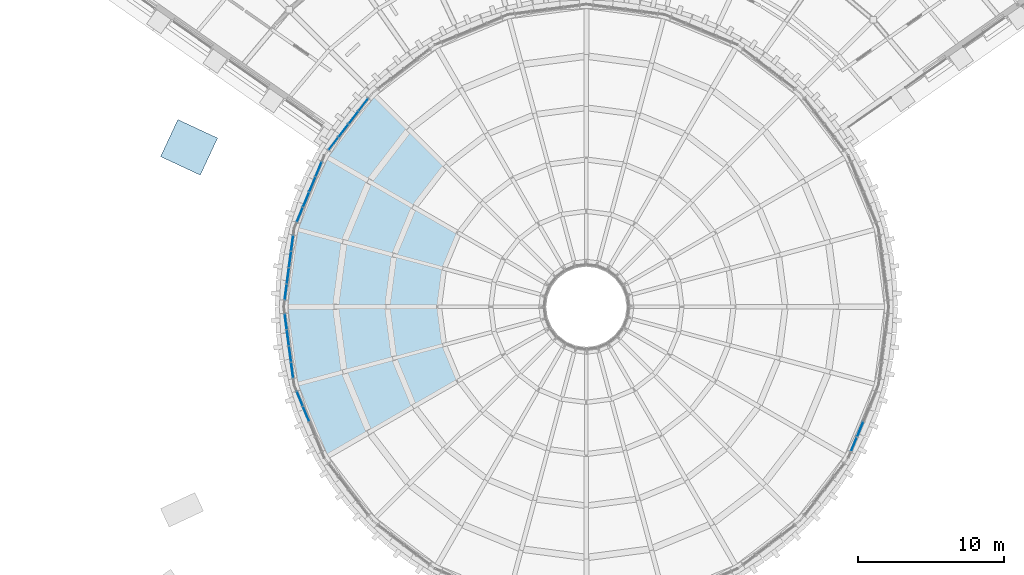
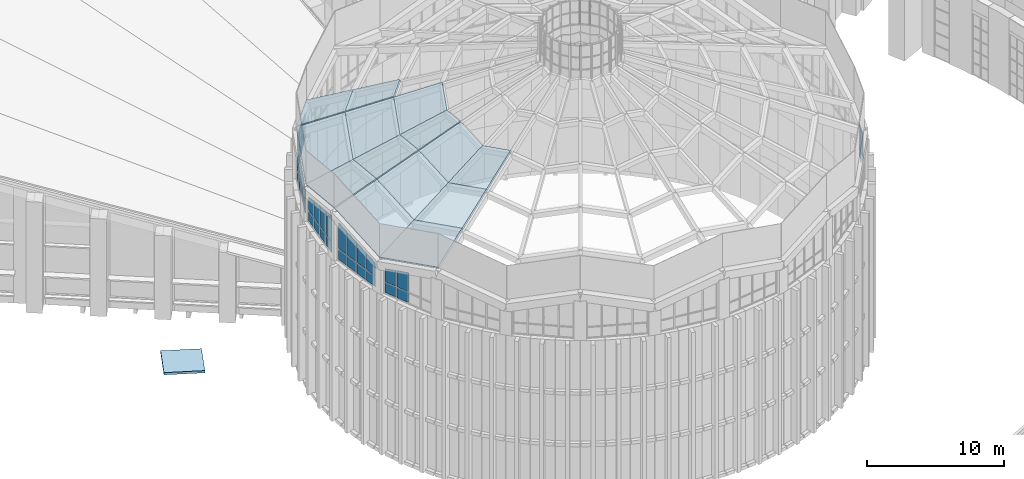
# One storey, part 40 of 82: 39 plates, 15 slabs, 7 elements without a shape of their own.
"""IFC4 building model written with IfcOpenShell, lengths in metres."""

import ifcopenshell
import ifcopenshell.guid

model = None  # the IFC model being written
_history = None  # IfcOwnerHistory: only IFC2X3 demands one
_inside = {}  # id of a spatial element -> (the spatial element, [elements in it])
_under = {}  # id of a project, library or spatial element -> (it, [spatial elements below it])
_declared = {}  # id of a project -> (the project, [libraries it declares])
_typed = {}  # id of a type object -> (the type object, [elements of that type])
_made_of = {}  # id of a material, layer set ... -> (it, [elements and type objects made of it])


def new_model(schema):
    """Start an empty IFC model of exactly this schema.

    Asked for "IFC4X3", IfcOpenShell would pick the latest addendum, in which some entities
    have other attributes; the version numbers below select the first issue.
    IFC2X3 requires an IfcOwnerHistory on every rooted entity: one is made here for all.
    """
    global model, _history
    if schema == "IFC4X3":
        model = ifcopenshell.file(schema_version=(4, 3, 0, 0))
    else:
        model = ifcopenshell.file(schema=schema)
    _inside.clear()
    _under.clear()
    _declared.clear()
    _typed.clear()
    _made_of.clear()
    _history = None
    if model.schema == "IFC2X3":
        org = make("IfcOrganization", Name="unknown")
        user = make(
            "IfcPersonAndOrganization",
            ThePerson=make("IfcPerson", FamilyName="unknown"),
            TheOrganization=org,
        )
        app = make(
            "IfcApplication",
            ApplicationDeveloper=org,
            Version="unknown",
            ApplicationFullName="unknown",
            ApplicationIdentifier="unknown",
        )
        _history = make(
            "IfcOwnerHistory",
            OwningUser=user,
            OwningApplication=app,
            ChangeAction="ADDED",
            CreationDate=0,
        )
    return model


def make(cls, **values):
    """One entity of the class cls with the attributes given. An attribute that is None is left unset."""
    return model.create_entity(
        cls, **{name: value for name, value in values.items() if value is not None}
    )


def rooted(cls, **values):
    """An entity with a GlobalId (a new one), such as an element, a storey or a relation."""
    return make(cls, GlobalId=ifcopenshell.guid.new(), OwnerHistory=_history, **values)


def si_unit(unit_type, name, prefix=None):
    """IfcSIUnit, for example si_unit("LENGTHUNIT", "METRE", prefix="MILLI")."""
    return make("IfcSIUnit", UnitType=unit_type, Prefix=prefix, Name=name)


def assignment(units):
    """IfcUnitAssignment: the units of a project."""
    return None if units is None else make("IfcUnitAssignment", Units=units)


def point(xyz):
    """IfcCartesianPoint."""
    return None if xyz is None else make("IfcCartesianPoint", Coordinates=xyz)


def direction(xyz):
    """IfcDirection."""
    return None if xyz is None else make("IfcDirection", DirectionRatios=xyz)


def frame(location, z_axis=None, x_axis=None):
    """IfcAxis2Placement3D, a coordinate frame: its origin and axes. An axis left out is left unset."""
    return make(
        "IfcAxis2Placement3D",
        Location=point(location),
        Axis=direction(z_axis),
        RefDirection=direction(x_axis),
    )


def frame_2d(location, x_axis=None):
    """IfcAxis2Placement2D, a coordinate frame in the plane: its origin and x axis."""
    return make(
        "IfcAxis2Placement2D", Location=point(location), RefDirection=direction(x_axis)
    )


def origin():
    """The frame at (0, 0, 0) with its axes left unset."""
    return frame((0.0, 0.0, 0.0))


def origin_2d():
    """The frame at (0, 0) in the plane with its x axis left unset."""
    return frame_2d((0.0, 0.0))


def place(relative_to, where):
    """IfcLocalPlacement: puts the frame where relative to a parent placement (None: the world)."""
    return make(
        "IfcLocalPlacement", PlacementRelTo=relative_to, RelativePlacement=where
    )


def context(
    kind, dimensions, precision=None, world=None, true_north=None, identifier=None
):
    """IfcGeometricRepresentationContext, for example the 3D "Model" context."""
    return make(
        "IfcGeometricRepresentationContext",
        ContextIdentifier=identifier,
        ContextType=kind,
        CoordinateSpaceDimension=dimensions,
        Precision=precision,
        WorldCoordinateSystem=world,
        TrueNorth=true_north,
    )


def subcontext(parent, identifier, kind, view, scale=None):
    """IfcGeometricRepresentationSubContext, for example "Body" below "Model"."""
    return make(
        "IfcGeometricRepresentationSubContext",
        ContextIdentifier=identifier,
        ContextType=kind,
        ParentContext=parent,
        TargetScale=scale,
        TargetView=view,
    )


def project(units=None, contexts=None):
    """IfcProject with its units and contexts."""
    return rooted(
        "IfcProject",
        Name="project",
        RepresentationContexts=contexts,
        UnitsInContext=assignment(units),
    )


def spatial(cls, under=None, at=None, **own):
    """A site, building, storey or space (cls), placed at a placement, below another one or the project."""
    s = rooted(cls, ObjectPlacement=at, **own)
    if under is not None:
        _under.setdefault(under.id(), (under, []))[1].append(s)
    return s


def polyline(points):
    """IfcPolyline through the points."""
    return make("IfcPolyline", Points=[point(p) for p in points])


def profile(cls, at=None, kind="AREA", **sizes):
    """A parametric profile (cls). Its sizes go by their IFC names, for example OverallWidth=200.0."""
    return make(cls, ProfileType=kind, Position=at, **sizes)


def rectangle(**sizes):
    """IfcRectangleProfileDef."""
    return profile("IfcRectangleProfileDef", **sizes)


def outline(outer, holes=None, kind="AREA"):
    """IfcArbitraryClosedProfileDef: a profile drawn as a closed curve; with holes, ...WithVoids."""
    if holes is None:
        return make("IfcArbitraryClosedProfileDef", ProfileType=kind, OuterCurve=outer)
    return make(
        "IfcArbitraryProfileDefWithVoids",
        ProfileType=kind,
        OuterCurve=outer,
        InnerCurves=holes,
    )


def extrude(swept, where, along, depth):
    """IfcExtrudedAreaSolid: the profile swept, set in the frame where, extruded along a direction by depth."""
    return make(
        "IfcExtrudedAreaSolid",
        SweptArea=swept,
        Position=where,
        ExtrudedDirection=direction(along),
        Depth=depth,
    )


def shape(context_of_items, identifier, shape_type, items):
    """IfcShapeRepresentation: the items that make up one representation, for example the "Body"."""
    return make(
        "IfcShapeRepresentation",
        ContextOfItems=context_of_items,
        RepresentationIdentifier=identifier,
        RepresentationType=shape_type,
        Items=items,
    )


def material(Name=None, Category=None):
    """IfcMaterial."""
    return make("IfcMaterial", Name=Name, Category=Category)


def layer(
    of_material, thickness, ventilated=None, Name=None, Category=None, Priority=None
):
    """IfcMaterialLayer: one layer of a wall or slab, of a material (None: an air gap)."""
    return make(
        "IfcMaterialLayer",
        Material=of_material,
        LayerThickness=thickness,
        IsVentilated=ventilated,
        Name=Name,
        Category=Category,
        Priority=Priority,
    )


def layer_set(layers, Name=None):
    """IfcMaterialLayerSet."""
    return make("IfcMaterialLayerSet", MaterialLayers=layers, LayerSetName=Name)


def made_of(thing, what):
    """Note that an element or type object is made of a material, layer set ...; save() writes the relation."""
    if what is not None:
        _made_of.setdefault(what.id(), (what, []))[1].append(thing)
    return thing


def type_object(cls, material=None, **own):
    """A type object (cls), such as IfcWallType, which elements share."""
    return made_of(rooted(cls, **own), material)


def element(
    cls,
    number,
    at=None,
    inside=None,
    cuts=None,
    type_object=None,
    material=None,
    context=None,
    identifier="Body",
    shape_type=None,
    held_by="IfcProductDefinitionShape",
    body=None,
    shapes=None,
    **own,
):
    """One element of the class cls, such as IfcWall. Its Tag is "e" and its number.

    at: its placement. inside: the storey or other place that contains it. cuts: it is an
    opening in that element (IfcRelVoidsElement). A single representation is given by context,
    identifier, shape_type and body (its items); several are given by shapes. held_by: the class
    of the entity that holds the representations. save() writes the other relations.
    """
    e = rooted(cls, Tag="e%d" % number, ObjectPlacement=at, **own)
    if body is not None:
        shapes = [shape(context, identifier, shape_type, body)]
    if shapes is not None:
        e.Representation = make(held_by, Representations=shapes)
    if inside is not None:
        _inside.setdefault(inside.id(), (inside, []))[1].append(e)
    if cuts is not None:
        rooted(
            "IfcRelVoidsElement", RelatingBuildingElement=cuts, RelatedOpeningElement=e
        )
    if type_object is not None:
        _typed.setdefault(type_object.id(), (type_object, []))[1].append(e)
    return made_of(e, material)


def aggregate(whole, parts):
    """IfcRelAggregates: a whole, such as a stair, and the parts it consists of."""
    return rooted("IfcRelAggregates", RelatingObject=whole, RelatedObjects=parts)


def save(model, path):
    """Write the relations noted so far, then the file.

    IfcRelAggregates (storeys below a building ...), IfcRelContainedInSpatialStructure (elements
    in a storey), IfcRelDefinesByType, IfcRelAssociatesMaterial and IfcRelDeclares: one each for
    every whole, place, type object, material and project.
    """
    for whole, parts in _under.values():
        aggregate(whole, parts)
    for where, things in _inside.values():
        rooted(
            "IfcRelContainedInSpatialStructure",
            RelatedElements=things,
            RelatingStructure=where,
        )
    for kind, things in _typed.values():
        rooted("IfcRelDefinesByType", RelatedObjects=things, RelatingType=kind)
    for what, things in _made_of.values():
        rooted("IfcRelAssociatesMaterial", RelatedObjects=things, RelatingMaterial=what)
    for by, libraries in _declared.values():
        rooted("IfcRelDeclares", RelatingContext=by, RelatedDefinitions=libraries)
    model.write(path)


model = new_model("IFC4")

# Units and contexts
model_context = context("Model", 3, precision=1e-05, world=origin(), true_north=direction((0.0, 1.0)))
body_context = subcontext(model_context, "Body", "Model", "MODEL_VIEW")
ifc_project = project(units=[si_unit("LENGTHUNIT", "METRE"), si_unit("AREAUNIT", "SQUARE_METRE"), si_unit("VOLUMEUNIT", "CUBIC_METRE"), si_unit("PLANEANGLEUNIT", "RADIAN"), si_unit("MASSUNIT", "GRAM", prefix="KILO")], contexts=[model_context])

# Site, building, storey
site_placement = place(None, origin())
site = spatial("IfcSite", under=ifc_project, at=site_placement, CompositionType="ELEMENT")
building_placement = place(site_placement, origin())
building = spatial("IfcBuilding", under=site, at=building_placement, Name="Volute Hill Aquarium", CompositionType="ELEMENT")
storey_placement = place(building_placement, frame((0.0, 0.0, 13.800048828125)))
storey = spatial("IfcBuildingStorey", under=building, at=storey_placement, Name="L04", CompositionType="ELEMENT", Elevation=13.800048828125)

# Curtain wall, plates
ifc_material_1 = material(Name="Aluminium", Category="aluminium")
ifc_layer_1 = layer(ifc_material_1, 0.219970703125)
ifc_layer_set_1 = layer_set([ifc_layer_1], Name="Curtain wall DR clerestory module 1134")
curtain_wall_type = type_object("IfcCurtainWallType", Name="Curtain wall DR clerestory module 1134", PredefinedType="NOTDEFINED", material=ifc_layer_set_1)
curtain_wall_1_placement = place(storey_placement, origin())
curtain_wall_1 = element("IfcCurtainWall", 1, at=curtain_wall_1_placement, inside=storey, type_object=curtain_wall_type, Name="Curtain wall CW DR clerestory c09", PredefinedType="NOTDEFINED")
ifc_material_2 = material(Name="Glass, low-iron laminated", Category="glass")
ifc_layer_2 = layer(ifc_material_2, 0.035888671875)
ifc_layer_set_2 = layer_set([ifc_layer_2], Name="Curtain wall glass panel clerestory 36")
plate_type = type_object("IfcPlateType", Name="Curtain wall glass panel clerestory 36", PredefinedType="CURTAIN_PANEL", material=ifc_layer_set_2)
plate_1_placement = place(storey_placement, frame((-15.257080078125, 13.8291015625, 13.77001953125), z_axis=(0.0, 0.0, 1.0), x_axis=(-0.608760551921, -0.793354013303, 0.0)))
plate_1 = element("IfcPlate", 2, at=plate_1_placement, type_object=plate_type, Name="Panel DR clerestory 1.1", PredefinedType="CURTAIN_PANEL", context=body_context, shape_type="SweptSolid", body=[
    extrude(rectangle(XDim=1.029052734375, YDim=0.035888671875, at=origin_2d()), origin(), (0.0, 0.0, 1.0), 0.89501953125),
])
plate_2_placement = place(storey_placement, frame((-14.9580078125, 14.248291015625, 14.73486328125), z_axis=(-0.793346631306, 0.608770172228, 0.0), x_axis=(-0.608770172228, -0.793346631306, 0.0)))
plate_2 = element("IfcPlate", 3, at=plate_2_placement, type_object=plate_type, Name="Panel DR clerestory 1.2", PredefinedType="CURTAIN_PANEL", context=body_context, shape_type="SweptSolid", body=[
    extrude(outline(polyline([(0.0, 0.0), (1.0290662590396085, 0.0), (1.0290662590396085, 1.4194335937500002), (0.0, 1.1528320312500002), (0.0, 0.0)])), origin(), (0.0, 0.0, -1.0), 0.035888671875),
])
plate_3_placement = place(storey_placement, frame((-15.936767578125, 12.943359375, 13.77001953125), z_axis=(0.0, 0.0, 1.0), x_axis=(-0.608760551921, -0.793354013303, 0.0)))
plate_3 = element("IfcPlate", 4, at=plate_3_placement, type_object=plate_type, Name="Panel DR clerestory 2.1", PredefinedType="CURTAIN_PANEL", context=body_context, shape_type="SweptSolid", body=[
    extrude(rectangle(XDim=1.06396484375, YDim=0.035888671875, at=origin_2d()), origin(), (0.0, 0.0, 1.0), 0.89501953125),
])
plate_4_placement = place(storey_placement, frame((-15.626953125, 13.37646484375, 14.73486328125), z_axis=(-0.793399515431, 0.608701247669, 0.0), x_axis=(-0.608701247669, -0.793399515431, 0.0)))
plate_4 = element("IfcPlate", 5, at=plate_4_placement, type_object=plate_type, Name="Panel DR clerestory 2.2", PredefinedType="CURTAIN_PANEL", context=body_context, shape_type="SweptSolid", body=[
    extrude(outline(polyline([(0.0, 0.0), (1.0640771324283154, 0.0), (1.0640771324283154, 1.7133789062500004), (0.0, 1.4377441406250002), (0.0, 0.0)])), origin(), (0.0, 0.0, -1.0), 0.035888671875),
])
plate_5_placement = place(storey_placement, frame((-16.626953125, 12.043701171875, 13.77001953125), z_axis=(0.0, 0.0, 1.0), x_axis=(-0.608760551921, -0.793354013303, 0.0)))
plate_5 = element("IfcPlate", 6, at=plate_5_placement, type_object=plate_type, Name="Panel DR clerestory 3.1", PredefinedType="CURTAIN_PANEL", context=body_context, shape_type="SweptSolid", body=[
    extrude(rectangle(XDim=1.06396484375, YDim=0.035888671875, at=origin_2d()), origin(), (0.0, 0.0, 1.0), 0.89501953125),
])
plate_6_placement = place(storey_placement, frame((-16.3173828125, 12.476806640625, 14.73486328125), z_axis=(-0.793399515431, 0.608701247669, 0.0), x_axis=(-0.608701247669, -0.793399515431, 0.0)))
plate_6 = element("IfcPlate", 7, at=plate_6_placement, type_object=plate_type, Name="Panel DR clerestory 3.2", PredefinedType="CURTAIN_PANEL", context=body_context, shape_type="SweptSolid", body=[
    extrude(outline(polyline([(0.0, 0.0), (1.0640771324283154, 0.0), (1.0640771324283154, 2.0070800781250004), (0.0, 1.7314453125000004), (0.0, 0.0)])), origin(), (0.0, 0.0, -1.0), 0.035888671875),
])
plate_7_placement = place(storey_placement, frame((-17.306640625, 11.157958984375, 13.77001953125), z_axis=(0.0, 0.0, 1.0), x_axis=(-0.608760551921, -0.793354013303, 0.0)))
plate_7 = element("IfcPlate", 8, at=plate_7_placement, type_object=plate_type, Name="Panel DR clerestory 4.1", PredefinedType="CURTAIN_PANEL", context=body_context, shape_type="SweptSolid", body=[
    extrude(rectangle(XDim=1.029052734375, YDim=0.035888671875, at=origin_2d()), origin(), (0.0, 0.0, 1.0), 0.89501953125),
])
plate_8_placement = place(storey_placement, frame((-17.008056640625, 11.5771484375, 14.73486328125), z_axis=(-0.793461214918, 0.608620818261, 0.0), x_axis=(-0.608620818261, -0.793461214918, 0.0)))
plate_8 = element("IfcPlate", 9, at=plate_8_placement, type_object=plate_type, Name="Panel DR clerestory 4.2", PredefinedType="CURTAIN_PANEL", context=body_context, shape_type="SweptSolid", body=[
    extrude(outline(polyline([(0.0, 0.0), (1.0289176517396483, 0.0), (1.0289176517396483, 2.291748046875), (0.0, 2.025146484375), (0.0, 0.0)])), origin(), (0.0, 0.0, -1.0), 0.035888671875),
])
aggregate(curtain_wall_1, [plate_1, plate_2, plate_3, plate_4, plate_5, plate_6, plate_7, plate_8])

curtain_wall_2_placement = place(storey_placement, origin())
curtain_wall_2 = element("IfcCurtainWall", 10, at=curtain_wall_2_placement, inside=storey, type_object=curtain_wall_type, Name="Curtain wall CW DR clerestory c10", PredefinedType="NOTDEFINED")
plate_9_placement = place(storey_placement, frame((-18.31640625, 9.4091796875, 13.77001953125), z_axis=(0.0, 0.0, 1.0), x_axis=(-0.382696102118, -0.923874284426, 0.0)))
plate_9 = element("IfcPlate", 11, at=plate_9_placement, type_object=plate_type, Name="Panel DR clerestory 1.1", PredefinedType="CURTAIN_PANEL", context=body_context, shape_type="SweptSolid", body=[
    extrude(rectangle(XDim=1.029052734375, YDim=0.035888671875, at=origin_2d()), origin(), (0.0, 0.0, 1.0), 0.89501953125),
])
plate_10_placement = place(storey_placement, frame((-18.13623046875, 9.891357421875, 14.73486328125), z_axis=(-0.923875137994, 0.382694041496, 0.0), x_axis=(-0.382694041496, -0.923875137994, 0.0)))
plate_10 = element("IfcPlate", 12, at=plate_10_placement, type_object=plate_type, Name="Panel DR clerestory 1.2", PredefinedType="CURTAIN_PANEL", context=body_context, shape_type="SweptSolid", body=[
    extrude(outline(polyline([(0.0, 0.0), (1.029017401435971, 0.0), (1.029017401435971, 2.0251464843750004), (0.0, 2.2917480468750004), (0.0, 0.0)])), origin(), (0.0, 0.0, -1.0), 0.035888671875),
])
plate_11_placement = place(storey_placement, frame((-18.74365234375, 8.377685546875, 13.77001953125), z_axis=(0.0, 0.0, 1.0), x_axis=(-0.382696102118, -0.923874284426, 0.0)))
plate_11 = element("IfcPlate", 13, at=plate_11_placement, type_object=plate_type, Name="Panel DR clerestory 2.1", PredefinedType="CURTAIN_PANEL", context=body_context, shape_type="SweptSolid", body=[
    extrude(rectangle(XDim=1.06396484375, YDim=0.035888671875, at=origin_2d()), origin(), (0.0, 0.0, 1.0), 0.89501953125),
])
plate_12_placement = place(storey_placement, frame((-18.556640625, 8.8759765625, 14.73486328125), z_axis=(-0.923849008585, 0.38275711533, 0.0), x_axis=(-0.38275711533, -0.923849008585, 0.0)))
plate_12 = element("IfcPlate", 14, at=plate_12_placement, type_object=plate_type, Name="Panel DR clerestory 2.2", PredefinedType="CURTAIN_PANEL", context=body_context, shape_type="SweptSolid", body=[
    extrude(outline(polyline([(0.0, 0.0), (1.0639294377283515, 0.0), (1.0639294377283515, 1.7314453125), (0.0, 2.007080078125), (0.0, 0.0)])), origin(), (0.0, 0.0, -1.0), 0.035888671875),
])
plate_13_placement = place(storey_placement, frame((-19.177734375, 7.330078125, 13.77001953125), z_axis=(0.0, 0.0, 1.0), x_axis=(-0.382696102118, -0.923874284426, 0.0)))
plate_13 = element("IfcPlate", 15, at=plate_13_placement, type_object=plate_type, Name="Panel DR clerestory 3.1", PredefinedType="CURTAIN_PANEL", context=body_context, shape_type="SweptSolid", body=[
    extrude(rectangle(XDim=1.06396484375, YDim=0.035888671875, at=origin_2d()), origin(), (0.0, 0.0, 1.0), 0.89501953125),
])
plate_14_placement = place(storey_placement, frame((-18.99072265625, 7.828369140625, 14.73486328125), z_axis=(-0.923882616045, 0.382675987972, 0.0), x_axis=(-0.382675987972, -0.923882616045, 0.0)))
plate_14 = element("IfcPlate", 16, at=plate_14_placement, type_object=plate_type, Name="Panel DR clerestory 3.2", PredefinedType="CURTAIN_PANEL", context=body_context, shape_type="SweptSolid", body=[
    extrude(outline(polyline([(0.0, 0.0), (1.064154990905621, 0.0), (1.064154990905621, 1.4377441406250002), (0.0, 1.7133789062500004), (0.0, 0.0)])), origin(), (0.0, 0.0, -1.0), 0.035888671875),
])
plate_15_placement = place(storey_placement, frame((-19.60498046875, 6.29833984375, 13.77001953125), z_axis=(0.0, 0.0, 1.0), x_axis=(-0.382696102118, -0.923874284426, 0.0)))
plate_15 = element("IfcPlate", 17, at=plate_15_placement, type_object=plate_type, Name="Panel DR clerestory 4.1", PredefinedType="CURTAIN_PANEL", context=body_context, shape_type="SweptSolid", body=[
    extrude(rectangle(XDim=1.029052734375, YDim=0.035888671875, at=origin_2d()), origin(), (0.0, 0.0, 1.0), 0.89501953125),
])
plate_16_placement = place(storey_placement, frame((-19.424560546875, 6.780517578125, 14.73486328125), z_axis=(-0.923840379293, 0.382777942923, 0.0), x_axis=(-0.382777942923, -0.923840379293, 0.0)))
plate_16 = element("IfcPlate", 18, at=plate_16_placement, type_object=plate_type, Name="Panel DR clerestory 4.2", PredefinedType="CURTAIN_PANEL", context=body_context, shape_type="SweptSolid", body=[
    extrude(outline(polyline([(0.0, 0.0), (1.0287918502248996, 0.0), (1.0287918502248996, 1.15283203125), (0.0, 1.41943359375), (0.0, 0.0)])), origin(), (0.0, 0.0, -1.0), 0.035888671875),
])
aggregate(curtain_wall_2, [plate_9, plate_10, plate_11, plate_12, plate_13, plate_14, plate_15, plate_16])

curtain_wall_3_placement = place(storey_placement, origin())
curtain_wall_3 = element("IfcCurtainWall", 19, at=curtain_wall_3_placement, inside=storey, type_object=curtain_wall_type, Name="Curtain wall CW DR clerestory c11", PredefinedType="NOTDEFINED")
plate_17_placement = place(storey_placement, frame((-20.127685546875, 4.347900390625, 13.77001953125), z_axis=(0.0, 0.0, 1.0), x_axis=(-0.130518657667, -0.991445853287, 0.0)))
plate_17 = element("IfcPlate", 20, at=plate_17_placement, type_object=plate_type, Name="Panel DR clerestory 1.1", PredefinedType="CURTAIN_PANEL", context=body_context, shape_type="SweptSolid", body=[
    extrude(rectangle(XDim=1.029052734375, YDim=0.035888671875, at=origin_2d()), origin(), (0.0, 0.0, 1.0), 0.89501953125),
])
plate_18_placement = place(storey_placement, frame((-20.078369140625, 4.8603515625, 14.73486328125), z_axis=(-0.991446216664, 0.130515897359, 0.0), x_axis=(-0.130515897359, -0.991446216664, 0.0)))
plate_18 = element("IfcPlate", 21, at=plate_18_placement, type_object=plate_type, Name="Panel DR clerestory 1.2", PredefinedType="CURTAIN_PANEL", context=body_context, shape_type="SweptSolid", body=[
    extrude(outline(polyline([(0.0, 0.0), (1.02881983319531, 0.0), (1.02881983319531, 1.41943359375), (0.0, 1.15283203125), (0.0, 0.0)])), origin(), (0.0, 0.0, -1.0), 0.035888671875),
])
plate_19_placement = place(storey_placement, frame((-20.2734375, 3.240966796875, 13.77001953125), z_axis=(0.0, 0.0, 1.0), x_axis=(-0.130518657667, -0.991445853287, 0.0)))
plate_19 = element("IfcPlate", 22, at=plate_19_placement, type_object=plate_type, Name="Panel DR clerestory 2.1", PredefinedType="CURTAIN_PANEL", context=body_context, shape_type="SweptSolid", body=[
    extrude(rectangle(XDim=1.06396484375, YDim=0.035888671875, at=origin_2d()), origin(), (0.0, 0.0, 1.0), 0.89501953125),
])
plate_20_placement = place(storey_placement, frame((-20.2216796875, 3.770751953125, 14.73486328125), z_axis=(-0.991441014026, 0.1305554124, 0.0), x_axis=(-0.1305554124, -0.991441014026, 0.0)))
plate_20 = element("IfcPlate", 23, at=plate_20_placement, type_object=plate_type, Name="Panel DR clerestory 2.2", PredefinedType="CURTAIN_PANEL", context=body_context, shape_type="SweptSolid", body=[
    extrude(outline(polyline([(0.0, 0.0), (1.0640387332183354, 0.0), (1.0640387332183354, 1.71337890625), (0.0, 1.437744140625), (0.0, 0.0)])), origin(), (0.0, 0.0, -1.0), 0.035888671875),
])
plate_21_placement = place(storey_placement, frame((-20.42138671875, 2.11669921875, 13.77001953125), z_axis=(0.0, 0.0, 1.0), x_axis=(-0.130518657667, -0.991445853287, 0.0)))
plate_21 = element("IfcPlate", 24, at=plate_21_placement, type_object=plate_type, Name="Panel DR clerestory 3.1", PredefinedType="CURTAIN_PANEL", context=body_context, shape_type="SweptSolid", body=[
    extrude(rectangle(XDim=1.06396484375, YDim=0.035888671875, at=origin_2d()), origin(), (0.0, 0.0, 1.0), 0.89501953125),
])
plate_22_placement = place(storey_placement, frame((-20.36962890625, 2.646484375, 14.73486328125), z_axis=(-0.991441014026, 0.1305554124, 0.0), x_axis=(-0.1305554124, -0.991441014026, 0.0)))
plate_22 = element("IfcPlate", 25, at=plate_22_placement, type_object=plate_type, Name="Panel DR clerestory 3.2", PredefinedType="CURTAIN_PANEL", context=body_context, shape_type="SweptSolid", body=[
    extrude(outline(polyline([(0.0, 0.0), (1.0640387332183352, 0.0), (1.0640387332183352, 2.007080078125), (0.0, 1.7314453125), (0.0, 0.0)])), origin(), (0.0, 0.0, -1.0), 0.035888671875),
])
plate_23_placement = place(storey_placement, frame((-20.567138671875, 1.009765625, 13.77001953125), z_axis=(0.0, 0.0, 1.0), x_axis=(-0.130518657667, -0.991445853287, 0.0)))
plate_23 = element("IfcPlate", 26, at=plate_23_placement, type_object=plate_type, Name="Panel DR clerestory 4.1", PredefinedType="CURTAIN_PANEL", context=body_context, shape_type="SweptSolid", body=[
    extrude(rectangle(XDim=1.029052734375, YDim=0.035888671875, at=origin_2d()), origin(), (0.0, 0.0, 1.0), 0.89501953125),
])
plate_24_placement = place(storey_placement, frame((-20.517822265625, 1.522216796875, 14.73486328125), z_axis=(-0.991450257528, 0.130485197808, 0.0), x_axis=(-0.130485197808, -0.991450257528, 0.0)))
plate_24 = element("IfcPlate", 27, at=plate_24_placement, type_object=plate_type, Name="Panel DR clerestory 4.2", PredefinedType="CURTAIN_PANEL", context=body_context, shape_type="SweptSolid", body=[
    extrude(outline(polyline([(0.0, 0.0), (1.0290618859876277, 0.0), (1.0290618859876277, 2.2917480468750004), (0.0, 2.0251464843750004), (0.0, 0.0)])), origin(), (0.0, 0.0, -1.0), 0.035888671875),
])
aggregate(curtain_wall_3, [plate_17, plate_18, plate_19, plate_20, plate_21, plate_22, plate_23, plate_24])

curtain_wall_4_placement = place(storey_placement, origin())
curtain_wall_4 = element("IfcCurtainWall", 28, at=curtain_wall_4_placement, inside=storey, type_object=curtain_wall_type, Name="Curtain wall CW DR clerestory c12", PredefinedType="NOTDEFINED")
plate_25_placement = place(storey_placement, frame((-20.567138671875, -1.009765625, 13.77001953125), z_axis=(0.0, 0.0, 1.0), x_axis=(0.130518657667, -0.991445853287, 0.0)))
plate_25 = element("IfcPlate", 29, at=plate_25_placement, type_object=plate_type, Name="Panel DR clerestory 1.1", PredefinedType="CURTAIN_PANEL", context=body_context, shape_type="SweptSolid", body=[
    extrude(rectangle(XDim=1.029052734375, YDim=0.035888671875, at=origin_2d()), origin(), (0.0, 0.0, 1.0), 0.89501953125),
])
plate_26_placement = place(storey_placement, frame((-20.652099609375, -0.501953125, 14.73486328125), z_axis=(-0.991450257528, -0.130485197808, 0.0), x_axis=(0.130485197808, -0.991450257528, 0.0)))
plate_26 = element("IfcPlate", 30, at=plate_26_placement, type_object=plate_type, Name="Panel DR clerestory 1.2", PredefinedType="CURTAIN_PANEL", context=body_context, shape_type="SweptSolid", body=[
    extrude(outline(polyline([(0.0, 0.0), (1.0290618859876277, 0.0), (1.0290618859876277, 2.0251464843750004), (0.0, 2.2917480468750004), (0.0, 0.0)])), origin(), (0.0, 0.0, -1.0), 0.035888671875),
])
plate_27_placement = place(storey_placement, frame((-20.42138671875, -2.11669921875, 13.77001953125), z_axis=(0.0, 0.0, 1.0), x_axis=(0.130518657667, -0.991445853287, 0.0)))
plate_27 = element("IfcPlate", 31, at=plate_27_placement, type_object=plate_type, Name="Panel DR clerestory 2.1", PredefinedType="CURTAIN_PANEL", context=body_context, shape_type="SweptSolid", body=[
    extrude(rectangle(XDim=1.06396484375, YDim=0.035888671875, at=origin_2d()), origin(), (0.0, 0.0, 1.0), 0.89501953125),
])
plate_28_placement = place(storey_placement, frame((-20.508544921875, -1.591552734375, 14.73486328125), z_axis=(-0.991441014026, -0.1305554124, 0.0), x_axis=(0.1305554124, -0.991441014026, 0.0)))
plate_28 = element("IfcPlate", 32, at=plate_28_placement, type_object=plate_type, Name="Panel DR clerestory 2.2", PredefinedType="CURTAIN_PANEL", context=body_context, shape_type="SweptSolid", body=[
    extrude(outline(polyline([(0.0, 0.0), (1.0640387332183352, 0.0), (1.0640387332183352, 1.7314453125), (0.0, 2.007080078125), (0.0, 0.0)])), origin(), (0.0, 0.0, -1.0), 0.035888671875),
])
plate_29_placement = place(storey_placement, frame((-20.2734375, -3.240966796875, 13.77001953125), z_axis=(0.0, 0.0, 1.0), x_axis=(0.130518657667, -0.991445853287, 0.0)))
plate_29 = element("IfcPlate", 33, at=plate_29_placement, type_object=plate_type, Name="Panel DR clerestory 3.1", PredefinedType="CURTAIN_PANEL", context=body_context, shape_type="SweptSolid", body=[
    extrude(rectangle(XDim=1.06396484375, YDim=0.035888671875, at=origin_2d()), origin(), (0.0, 0.0, 1.0), 0.89501953125),
])
plate_30_placement = place(storey_placement, frame((-20.360595703125, -2.7158203125, 14.73486328125), z_axis=(-0.991441014026, -0.1305554124, 0.0), x_axis=(0.1305554124, -0.991441014026, 0.0)))
plate_30 = element("IfcPlate", 34, at=plate_30_placement, type_object=plate_type, Name="Panel DR clerestory 3.2", PredefinedType="CURTAIN_PANEL", context=body_context, shape_type="SweptSolid", body=[
    extrude(outline(polyline([(0.0, 0.0), (1.0640387332183354, 0.0), (1.0640387332183354, 1.437744140625), (0.0, 1.71337890625), (0.0, 0.0)])), origin(), (0.0, 0.0, -1.0), 0.035888671875),
])
plate_31_placement = place(storey_placement, frame((-20.127685546875, -4.347900390625, 13.77001953125), z_axis=(0.0, 0.0, 1.0), x_axis=(0.130518657667, -0.991445853287, 0.0)))
plate_31 = element("IfcPlate", 35, at=plate_31_placement, type_object=plate_type, Name="Panel DR clerestory 4.1", PredefinedType="CURTAIN_PANEL", context=body_context, shape_type="SweptSolid", body=[
    extrude(rectangle(XDim=1.029052734375, YDim=0.035888671875, at=origin_2d()), origin(), (0.0, 0.0, 1.0), 0.89501953125),
])
plate_32_placement = place(storey_placement, frame((-20.212646484375, -3.84033203125, 14.73486328125), z_axis=(-0.991446216664, -0.130515897359, 0.0), x_axis=(0.130515897359, -0.991446216664, 0.0)))
plate_32 = element("IfcPlate", 36, at=plate_32_placement, type_object=plate_type, Name="Panel DR clerestory 4.2", PredefinedType="CURTAIN_PANEL", context=body_context, shape_type="SweptSolid", body=[
    extrude(outline(polyline([(0.0, 0.0), (1.02881983319531, 0.0), (1.02881983319531, 1.15283203125), (0.0, 1.41943359375), (0.0, 0.0)])), origin(), (0.0, 0.0, -1.0), 0.035888671875),
])
aggregate(curtain_wall_4, [plate_25, plate_26, plate_27, plate_28, plate_29, plate_30, plate_31, plate_32])

curtain_wall_5_placement = place(storey_placement, origin())
curtain_wall_5 = element("IfcCurtainWall", 37, at=curtain_wall_5_placement, inside=storey, type_object=curtain_wall_type, Name="Curtain wall CW DR clerestory c13", PredefinedType="NOTDEFINED")
plate_33_placement = place(storey_placement, frame((-19.60498046875, -6.29833984375, 13.77001953125), z_axis=(0.0, 0.0, 1.0), x_axis=(0.382696102118, -0.923874284426, 0.0)))
plate_33 = element("IfcPlate", 38, at=plate_33_placement, type_object=plate_type, Name="Panel DR clerestory 1.1", PredefinedType="CURTAIN_PANEL", context=body_context, shape_type="SweptSolid", body=[
    extrude(rectangle(XDim=1.029052734375, YDim=0.035888671875, at=origin_2d()), origin(), (0.0, 0.0, 1.0), 0.89501953125),
])
plate_34_placement = place(storey_placement, frame((-19.818359375, -5.830078125, 14.73486328125), z_axis=(-0.923840379293, -0.382777942923, 0.0), x_axis=(0.382777942923, -0.923840379293, 0.0)))
plate_34 = element("IfcPlate", 39, at=plate_34_placement, type_object=plate_type, Name="Panel DR clerestory 1.2", PredefinedType="CURTAIN_PANEL", context=body_context, shape_type="SweptSolid", body=[
    extrude(outline(polyline([(0.0, 0.0), (1.0287918502248996, 0.0), (1.0287918502248996, 1.41943359375), (0.0, 1.15283203125), (0.0, 0.0)])), origin(), (0.0, 0.0, -1.0), 0.035888671875),
])
plate_35_placement = place(storey_placement, frame((-19.177734375, -7.330078125, 13.77001953125), z_axis=(0.0, 0.0, 1.0), x_axis=(0.382696102118, -0.923874284426, 0.0)))
plate_35 = element("IfcPlate", 40, at=plate_35_placement, type_object=plate_type, Name="Panel DR clerestory 2.1", PredefinedType="CURTAIN_PANEL", context=body_context, shape_type="SweptSolid", body=[
    extrude(rectangle(XDim=1.06396484375, YDim=0.035888671875, at=origin_2d()), origin(), (0.0, 0.0, 1.0), 0.89501953125),
])
plate_36_placement = place(storey_placement, frame((-19.39794921875, -6.84521484375, 14.73486328125), z_axis=(-0.923882616045, -0.382675987972, 0.0), x_axis=(0.382675987972, -0.923882616045, 0.0)))
plate_36 = element("IfcPlate", 41, at=plate_36_placement, type_object=plate_type, Name="Panel DR clerestory 2.2", PredefinedType="CURTAIN_PANEL", context=body_context, shape_type="SweptSolid", body=[
    extrude(outline(polyline([(0.0, 0.0), (1.064154990905621, 0.0), (1.064154990905621, 1.7133789062500004), (0.0, 1.4377441406250002), (0.0, 0.0)])), origin(), (0.0, 0.0, -1.0), 0.035888671875),
])
aggregate(curtain_wall_5, [plate_33, plate_34, plate_35, plate_36])

curtain_wall_6_placement = place(storey_placement, origin())
curtain_wall_6 = element("IfcCurtainWall", 42, at=curtain_wall_6_placement, inside=storey, type_object=curtain_wall_type, Name="Curtain wall CW DR clerestory c22", PredefinedType="NOTDEFINED")
plate_37_placement = place(storey_placement, frame((18.13623046875, -9.891357421875, 14.73486328125), z_axis=(0.923875137994, -0.382694041496, 0.0), x_axis=(0.382694041496, 0.923875137994, 0.0)))
plate_37 = element("IfcPlate", 43, at=plate_37_placement, type_object=plate_type, Name="Panel DR clerestory 1.2", PredefinedType="CURTAIN_PANEL", context=body_context, shape_type="SweptSolid", body=[
    extrude(outline(polyline([(0.0, 0.0), (1.029017401435971, 0.0), (1.029017401435971, 2.0251464843750004), (0.0, 2.2917480468750004), (0.0, 0.0)])), origin(), (0.0, 0.0, -1.0), 0.035888671875),
])
plate_38_placement = place(storey_placement, frame((18.74365234375, -8.377685546875, 13.77001953125), z_axis=(0.0, 0.0, 1.0), x_axis=(0.382696102118, 0.923874284426, 0.0)))
plate_38 = element("IfcPlate", 44, at=plate_38_placement, type_object=plate_type, Name="Panel DR clerestory 2.1", PredefinedType="CURTAIN_PANEL", context=body_context, shape_type="SweptSolid", body=[
    extrude(rectangle(XDim=1.06396484375, YDim=0.035888671875, at=origin_2d()), origin(), (0.0, 0.0, 1.0), 0.89501953125),
])
plate_39_placement = place(storey_placement, frame((18.556640625, -8.8759765625, 14.73486328125), z_axis=(0.923849008585, -0.38275711533, 0.0), x_axis=(0.38275711533, 0.923849008585, 0.0)))
plate_39 = element("IfcPlate", 45, at=plate_39_placement, type_object=plate_type, Name="Panel DR clerestory 2.2", PredefinedType="CURTAIN_PANEL", context=body_context, shape_type="SweptSolid", body=[
    extrude(outline(polyline([(0.0, 0.0), (1.0639294377283515, 0.0), (1.0639294377283515, 1.7314453125), (0.0, 2.007080078125), (0.0, 0.0)])), origin(), (0.0, 0.0, -1.0), 0.035888671875),
])
aggregate(curtain_wall_6, [plate_37, plate_38, plate_39])

# Roof, slabs
roof_placement = place(storey_placement, origin())
roof = element("IfcRoof", 46, at=roof_placement, inside=storey, Name="Folded dome shell roof", PredefinedType="DOME_ROOF")
ifc_material_3 = material(Name="Concrete C40/50", Category="concrete")
ifc_layer_3 = layer(ifc_material_3, 0.159912109375)
ifc_layer_set_3 = layer_set([ifc_layer_3], Name="Dome shell plate C40/50 160")
slab_type_1 = type_object("IfcSlabType", Name="Dome shell plate C40/50 160", PredefinedType="ROOF", material=ifc_layer_set_3)
slab_1_placement = place(storey_placement, frame((-11.815185546875, 6.765380859375, 20.726806640625), z_axis=(-0.430136933287, -0.074111146149, 0.899716486811), x_axis=(-0.370157422167, -0.894516149821, -0.25064784165)))
slab_1 = element("IfcSlab", 47, at=slab_1_placement, type_object=slab_type_1, Name="Dome shell plate 3.11", PredefinedType="ROOF", context=body_context, shape_type="SweptSolid", body=[
    extrude(outline(polyline([(0.0, 0.0), (3.6223345278476553, -5.551115123125783e-17), (2.7853732218885705, 3.7766455938804473), (0.11749965526001205, 3.776054919106853), (0.0, 0.0)])), origin(), (0.0, 0.0, -1.0), 0.159912109375),
])
slab_2_placement = place(storey_placement, frame((-13.156005859375, 3.525146484375, 19.81884765625), z_axis=(-0.335457333661, 0.279264468001, 0.89971091702), x_axis=(-0.126709346415, -0.959748043462, 0.250656008511)))
slab_2 = element("IfcSlab", 48, at=slab_2_placement, type_object=slab_type_1, Name="Dome shell plate 3.12", PredefinedType="ROOF", context=body_context, shape_type="SweptSolid", body=[
    extrude(outline(polyline([(0.0, 0.0), (3.6223670424331416, 5.551115123125783e-17), (3.504663812048471, 3.776007151315561), (0.8369587957977916, 3.7766461502897553), (0.0, 0.0)])), origin(), (0.0, 0.0, -1.0), 0.159912109375),
])
slab_3_placement = place(storey_placement, frame((-13.614990234375, -0.048583984375, 20.726806640625), z_axis=(-0.335457333661, -0.279264468001, 0.89971091702), x_axis=(0.126709346415, -0.959748043462, -0.250656008511)))
slab_3 = element("IfcSlab", 49, at=slab_3_placement, type_object=slab_type_1, Name="Dome shell plate 3.13", PredefinedType="ROOF", context=body_context, shape_type="SweptSolid", body=[
    extrude(outline(polyline([(0.0, 0.0), (3.6223670424331416, -5.551115123125783e-17), (2.78540824663535, 3.7766461502897553), (0.11770323038467051, 3.776007151315561), (0.0, 0.0)])), origin(), (0.0, 0.0, -1.0), 0.159912109375),
])
slab_4_placement = place(storey_placement, frame((-13.156005859375, -3.525146484375, 19.81884765625), z_axis=(-0.430136933287, 0.074111146149, 0.899716486811), x_axis=(0.370157422167, -0.894516149821, 0.25064784165)))
slab_4 = element("IfcSlab", 50, at=slab_4_placement, type_object=slab_type_1, Name="Dome shell plate 3.14", PredefinedType="ROOF", context=body_context, shape_type="SweptSolid", body=[
    extrude(outline(polyline([(0.0, 0.0), (3.6223345278476553, 5.551115123125783e-17), (3.504834872587643, 3.7760549191068526), (0.8369613059590846, 3.7766455938804473), (0.0, 0.0)])), origin(), (0.0, 0.0, -1.0), 0.159912109375),
])
ifc_material_4 = material(Name="Concrete C40/50", Category="concrete")
ifc_layer_4 = layer(ifc_material_4, 0.179931640625)
ifc_layer_set_4 = layer_set([ifc_layer_4], Name="Dome shell plate C40/50 180")
slab_type_2 = type_object("IfcSlabType", Name="Dome shell plate C40/50 180", PredefinedType="ROOF", material=ifc_layer_set_4)
slab_5_placement = place(storey_placement, frame((-12.134033203125, 12.134033203125, 18.25927734375), z_axis=(-0.150916530515, 0.409611973827, 0.899690075367), x_axis=(-0.589560601899, -0.767837319943, 0.250687348686)))
slab_5 = element("IfcSlab", 51, at=slab_5_placement, type_object=slab_type_2, Name="Dome shell plate 2.10", PredefinedType="ROOF", context=body_context, shape_type="SweptSolid", body=[
    extrude(outline(polyline([(0.0, 0.0), (4.571309337870088, -1.6653345369377348e-16), (4.453920320754607, 3.7762581284469428), (0.8372221615039372, 3.7766489165209465), (0.0, 0.0)])), origin(), (0.0, 0.0, -1.0), 0.179931640625),
])
slab_6_placement = place(storey_placement, frame((-14.88330078125, 8.530517578125, 19.4052734375), z_axis=(-0.430212586088, -0.074124350605, 0.899679226957), x_axis=(-0.370118439403, -0.894522057418, -0.250684322617)))
slab_6 = element("IfcSlab", 52, at=slab_6_placement, type_object=slab_type_2, Name="Dome shell plate 2.11", PredefinedType="ROOF", context=body_context, shape_type="SweptSolid", body=[
    extrude(outline(polyline([(0.0, 0.0), (4.571284896271191, 3.3306690738754696e-16), (3.7344345751690344, 3.7765499561742835), (0.11773865729988492, 3.7762472430668894), (0.0, 0.0)])), origin(), (0.0, 0.0, -1.0), 0.179931640625),
])
slab_7_placement = place(storey_placement, frame((-16.5751953125, 4.44140625, 18.25927734375), z_axis=(-0.335503828352, 0.279300829786, 0.899682292613), x_axis=(-0.12673219192, -0.959737595486, 0.250684461707)))
slab_7 = element("IfcSlab", 53, at=slab_7_placement, type_object=slab_type_2, Name="Dome shell plate 2.12", PredefinedType="ROOF", context=body_context, shape_type="SweptSolid", body=[
    extrude(outline(polyline([(0.0, 0.0), (4.5712726917889706, -5.551115123125783e-17), (4.453556408002104, 3.776320949152333), (0.8370076146005966, 3.7765150978412447), (0.0, 0.0)])), origin(), (0.0, 0.0, -1.0), 0.179931640625),
])
slab_8_placement = place(storey_placement, frame((-17.154541015625, -0.05419921875, 19.4052734375), z_axis=(-0.335503828352, -0.279300829786, 0.899682292613), x_axis=(0.12673219192, -0.959737595486, -0.250684461707)))
slab_8 = element("IfcSlab", 54, at=slab_8_placement, type_object=slab_type_2, Name="Dome shell plate 2.13", PredefinedType="ROOF", context=body_context, shape_type="SweptSolid", body=[
    extrude(outline(polyline([(0.0, 0.0), (4.5712726917889706, 5.551115123125783e-17), (3.7342650771883736, 3.7765150978412443), (0.11771628378686672, 3.776320949152333), (0.0, 0.0)])), origin(), (0.0, 0.0, -1.0), 0.179931640625),
])
slab_9_placement = place(storey_placement, frame((-16.5751953125, -4.44140625, 18.25927734375), z_axis=(-0.430212586088, 0.074124350605, 0.899679226957), x_axis=(0.370118439403, -0.894522057418, 0.250684322617)))
slab_9 = element("IfcSlab", 55, at=slab_9_placement, type_object=slab_type_2, Name="Dome shell plate 2.14", PredefinedType="ROOF", context=body_context, shape_type="SweptSolid", body=[
    extrude(outline(polyline([(0.0, 0.0), (4.571284896271191, -3.3306690738754696e-16), (4.453546238971307, 3.7762472430668894), (0.8368503211021572, 3.7765499561742835), (0.0, 0.0)])), origin(), (0.0, 0.0, -1.0), 0.179931640625),
])
ifc_material_5 = material(Name="Concrete C40/50", Category="concrete")
ifc_layer_5 = layer(ifc_material_5, 0.199951171875)
ifc_layer_set_5 = layer_set([ifc_layer_5], Name="Dome shell plate C40/50 200")
slab_type_3 = type_object("IfcSlabType", Name="Dome shell plate C40/50 200", PredefinedType="ROOF", material=ifc_layer_set_5)
slab_10_placement = place(storey_placement, frame((-14.63720703125, 14.63720703125, 16.699951171875), z_axis=(-0.150877920947, 0.409575145559, 0.89971331718), x_axis=(-0.589556946659, -0.767843172201, 0.250678019678)))
slab_10 = element("IfcSlab", 56, at=slab_10_placement, type_object=slab_type_3, Name="Dome shell plate 1.10", PredefinedType="ROOF", context=body_context, shape_type="SweptSolid", body=[
    extrude(outline(polyline([(0.0, 0.0), (5.520059186301094, -3.3306690738754696e-16), (5.402618217952297, 3.7761711756194494), (0.8371702104909248, 3.776559621580285), (0.0, 0.0)])), origin(), (0.0, 0.0, -1.0), 0.199951171875),
])
slab_11_placement = place(storey_placement, frame((-17.951416015625, 10.29541015625, 18.083740234375), z_axis=(-0.430135517658, -0.074142092986, 0.899714613918), x_axis=(-0.370149016335, -0.894512239755, -0.250674208155)))
slab_11 = element("IfcSlab", 57, at=slab_11_placement, type_object=slab_type_3, Name="Dome shell plate 1.11", PredefinedType="ROOF", context=body_context, shape_type="SweptSolid", body=[
    extrude(outline(polyline([(0.0, 0.0), (5.5200460396927955, 0.0), (4.683068780298519, 3.776642057947934), (0.11761172407191545, 3.7763640686527125), (0.0, 0.0)])), origin(), (0.0, 0.0, -1.0), 0.199951171875),
])
slab_12_placement = place(storey_placement, frame((-19.99462890625, 5.357666015625, 16.699951171875), z_axis=(-0.335445688066, 0.279270904492, 0.899713261135), x_axis=(-0.12666712471, -0.959747498472, 0.250679434127)))
slab_12 = element("IfcSlab", 58, at=slab_12_placement, type_object=slab_type_3, Name="Dome shell plate 1.12", PredefinedType="ROOF", context=body_context, shape_type="SweptSolid", body=[
    extrude(outline(polyline([(0.0, 0.0), (5.520055272130374, 1.1102230246251565e-16), (5.402501491025283, 3.776240675621363), (0.8371391989366921, 3.776606165767309), (0.0, 0.0)])), origin(), (0.0, 0.0, -1.0), 0.199951171875),
])
slab_13_placement = place(storey_placement, frame((-20.69384765625, -0.059814453125, 18.083740234375), z_axis=(-0.335445688066, -0.279270904492, 0.899713261135), x_axis=(0.12666712471, -0.959747498472, -0.250679434127)))
slab_13 = element("IfcSlab", 59, at=slab_13_placement, type_object=slab_type_3, Name="Dome shell plate 1.13", PredefinedType="ROOF", context=body_context, shape_type="SweptSolid", body=[
    extrude(outline(polyline([(0.0, 0.0), (5.520055272130374, -1.1102230246251565e-16), (4.682916073193682, 3.7766061657673093), (0.11755378110509185, 3.776240675621362), (0.0, 0.0)])), origin(), (0.0, 0.0, -1.0), 0.199951171875),
])
slab_14_placement = place(storey_placement, frame((-19.99462890625, -5.357666015625, 16.699951171875), z_axis=(-0.430135517658, 0.074142092986, 0.899714613918), x_axis=(0.370149016335, -0.894512239755, 0.250674208155)))
slab_14 = element("IfcSlab", 60, at=slab_14_placement, type_object=slab_type_3, Name="Dome shell plate 1.14", PredefinedType="ROOF", context=body_context, shape_type="SweptSolid", body=[
    extrude(outline(polyline([(0.0, 0.0), (5.5200460396927955, 0.0), (5.40243431562088, 3.776364068652713), (0.8369772593942765, 3.7766420579479334), (0.0, 0.0)])), origin(), (0.0, 0.0, -1.0), 0.199951171875),
])
aggregate(roof, [slab_10, slab_11, slab_12, slab_13, slab_14, slab_5, slab_6, slab_7, slab_8, slab_9, slab_1, slab_2, slab_3, slab_4])

# Slab
ifc_material_6 = material(Name="Concrete C30/37", Category="concrete")
ifc_layer_6 = layer(ifc_material_6, 0.199951171875)
ifc_layer_set_6 = layer_set([ifc_layer_6], Name="Lift shaft roof 200")
slab_type_4 = type_object("IfcSlabType", Name="Lift shaft roof 200", PredefinedType="ROOF", material=ifc_layer_set_6)
slab_15_placement = place(storey_placement, frame((0.0, 0.0, -0.080078125)))
element("IfcSlab", 61, at=slab_15_placement, inside=storey, type_object=slab_type_4, Name="cs/S1-A/shaft-roof", PredefinedType="ROOF", context=body_context, shape_type="SweptSolid", body=[
    extrude(outline(polyline([(-25.234619140625, 11.54638671875), (-27.95361328125, 12.814208984375), (-29.13671875, 10.276611328125), (-26.41796875, 9.0087890625), (-25.234619140625, 11.54638671875)])), origin(), (0.0, 0.0, 1.0), 0.199951171875),
])

save(model, "model.ifc")
